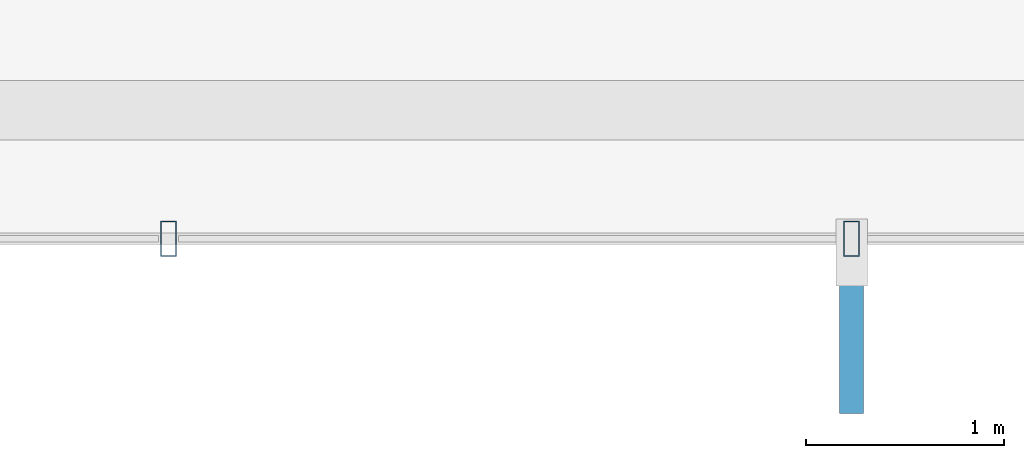
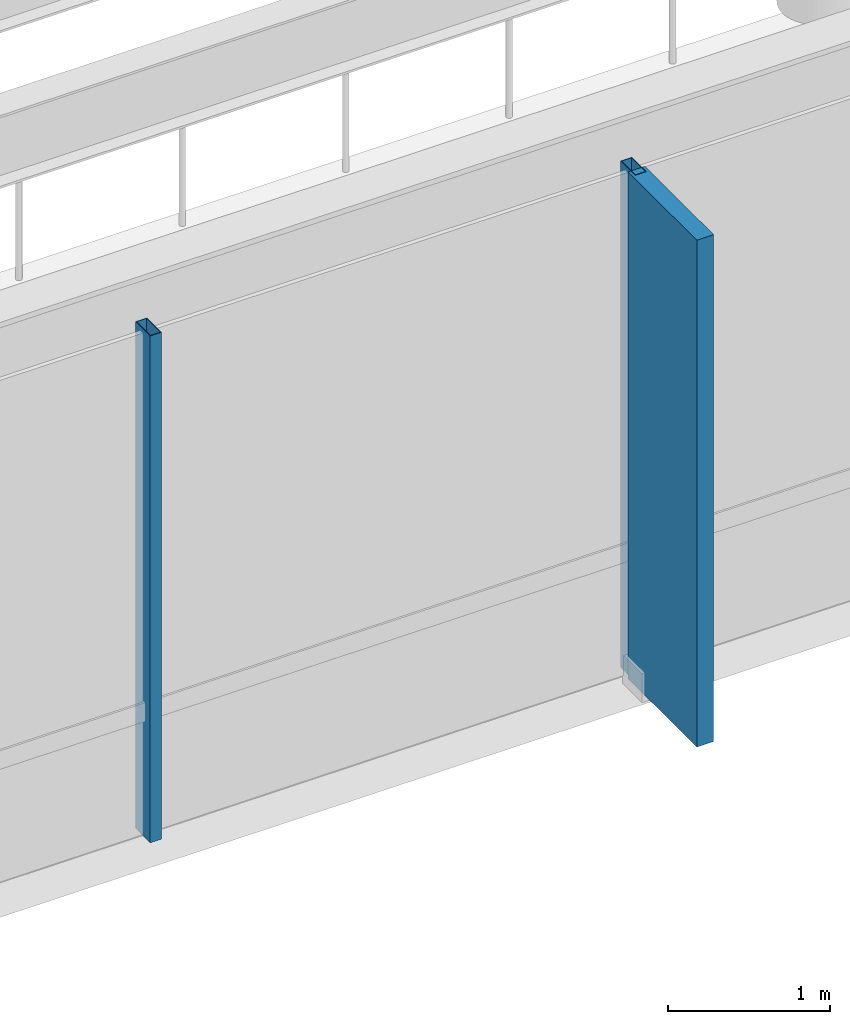
# One storey, part 4 of 24: 3 members, 1 element without a shape of its own.
"""IFC4 building model written with IfcOpenShell, lengths in metres."""

from ifc_helpers import new_model, si_unit, direction, frame, origin, origin_2d, place, context, subcontext, project, spatial, rectangle, hollow_rectangle, extrude, material, layer, layer_set, material_profile, profile_set, type_object, element, aggregate, save


model = new_model("IFC4")

# Units and contexts
model_context = context("Model", 3, precision=1e-05, world=origin(), true_north=direction((0.0, 1.0)))
body_context = subcontext(model_context, "Body", "Model", "MODEL_VIEW")
ifc_project = project(units=[si_unit("LENGTHUNIT", "METRE"), si_unit("AREAUNIT", "SQUARE_METRE"), si_unit("VOLUMEUNIT", "CUBIC_METRE"), si_unit("PLANEANGLEUNIT", "RADIAN"), si_unit("MASSUNIT", "GRAM", prefix="KILO")], contexts=[model_context])

# Site, building, storey
site_placement = place(None, origin())
site = spatial("IfcSite", under=ifc_project, at=site_placement, CompositionType="ELEMENT")
building_placement = place(site_placement, origin())
building = spatial("IfcBuilding", under=site, at=building_placement, Name="Zarrinselat Tower", CompositionType="ELEMENT")
storey_placement = place(building_placement, frame((0.0, 0.0, 64.260009765625)))
storey = spatial("IfcBuildingStorey", under=building, at=storey_placement, Name="L15", CompositionType="ELEMENT", Elevation=64.260009765625)

# Curtain wall, members
ifc_material_1 = material(Name="Extruded Aluminium Alloy EN AW-6063 T6", Category="aluminium")
ifc_layer = layer(ifc_material_1, 0.18505859375)
ifc_layer_set = layer_set([ifc_layer], Name="Extruded Aluminium Alloy EN AW-6063 T6")
curtain_wall_type = type_object("IfcCurtainWallType", Name="CWS-OFF", PredefinedType="NOTDEFINED", material=ifc_layer_set)
curtain_wall_placement = place(storey_placement, origin())
curtain_wall = element("IfcCurtainWall", 1, at=curtain_wall_placement, inside=storey, type_object=curtain_wall_type, Name="L15 Unitised Curtain Wall CW-L15-E05", PredefinedType="NOTDEFINED")
ifc_material_2 = material(Name="Extruded Aluminium Alloy EN AW-6063 T6", Category="aluminium")
ifc_material_profile_1 = material_profile(ifc_material_2, hollow_rectangle(XDim=0.080078125, YDim=0.179931640625, WallThickness=0.0048828125, at=origin_2d()), Name="RHS 180x80x5")
ifc_profile_set_1 = profile_set([ifc_material_profile_1], Name="Extruded Aluminium Alloy EN AW-6063 T6")
member_type_1 = type_object("IfcMemberType", Name="MEM-CW-MUL", PredefinedType="MULLION", material=ifc_profile_set_1)
member_1_placement = place(storey_placement, frame((38.39990234375, 18.70654296875, 0.0), z_axis=(0.0, 0.0, 1.0), x_axis=(-1.0, 0.0, 0.0)))
member_1 = element("IfcMember", 2, at=member_1_placement, type_object=member_type_1, Name="CW-L15-E05 Mullion 3", PredefinedType="MULLION", context=body_context, shape_type="SweptSolid", body=[
    extrude(hollow_rectangle(XDim=0.080078125, YDim=0.179931640625, WallThickness=0.0048828125, at=origin_2d()), origin(), (0.0, 0.0, 1.0), 3.820068359375),
])
member_2_placement = place(storey_placement, frame((34.941650390625, 18.70654296875, 0.0), z_axis=(0.0, 0.0, 1.0), x_axis=(-1.0, 0.0, 0.0)))
member_2 = element("IfcMember", 3, at=member_2_placement, type_object=member_type_1, Name="CW-L15-E05 Mullion 4", PredefinedType="MULLION", context=body_context, shape_type="SweptSolid", body=[
    extrude(hollow_rectangle(XDim=0.080078125, YDim=0.179931640625, WallThickness=0.0048828125, at=origin_2d()), origin(), (0.0, 0.0, 1.0), 3.820068359375),
])
ifc_material_3 = material(Name="Honed Cream Travertine Stone", Category="masonry")
ifc_material_profile_2 = material_profile(ifc_material_3, rectangle(XDim=0.1201171875, YDim=0.85009765625, at=origin_2d()), Name="FIN 850x120")
ifc_profile_set_2 = profile_set([ifc_material_profile_2], Name="Honed Cream Travertine Stone")
member_type_2 = type_object("IfcMemberType", Name="MEM-STONE-FIN", PredefinedType="USERDEFINED", material=ifc_profile_set_2)
member_3_placement = place(storey_placement, frame((38.39990234375, 18.24658203125, 0.0), z_axis=(0.0, 0.0, 1.0), x_axis=(-1.0, 0.0, 0.0)))
member_3 = element("IfcMember", 4, at=member_3_placement, type_object=member_type_2, Name="L15 Stone Shading Fin CW-L15-E05-03", ObjectType="FIN", PredefinedType="USERDEFINED", context=body_context, shape_type="SweptSolid", body=[
    extrude(rectangle(XDim=0.1201171875, YDim=0.85009765625, at=origin_2d()), origin(), (0.0, 0.0, 1.0), 3.820068359375),
])
aggregate(curtain_wall, [member_1, member_3, member_2])

save(model, "model.ifc")
